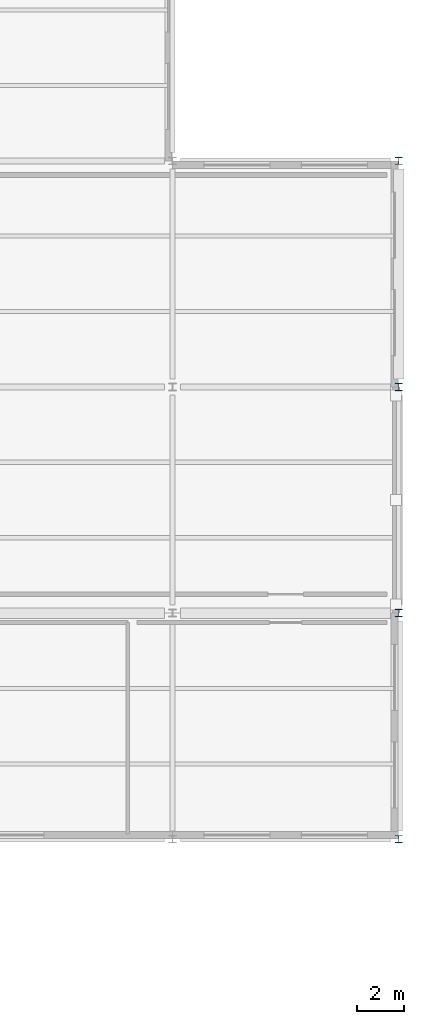
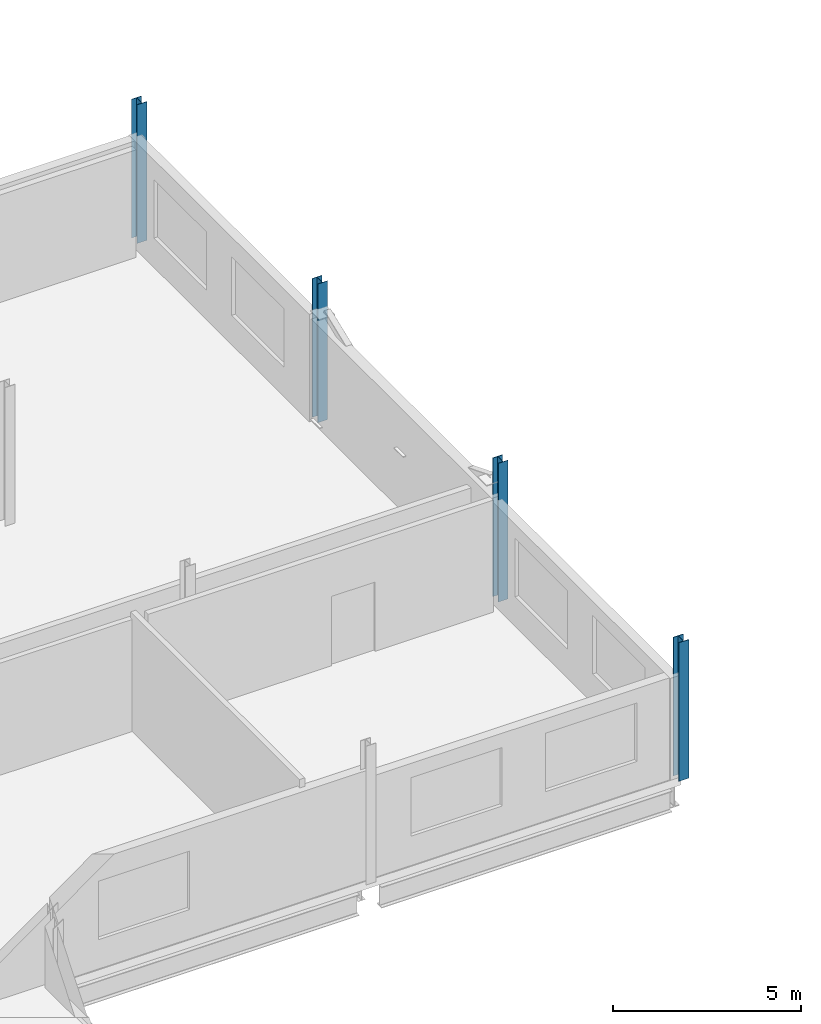
# One storey, part 11 of 69: 4 columns.
"""IFC4 building model written with IfcOpenShell, lengths in metres."""

from ifc_helpers import new_model, si_unit, direction, frame, origin, origin_2d, place, context, subcontext, project, spatial, i_section, extrude, material, material_profile, profile_set, type_object, element, save


model = new_model("IFC4")

# Units and contexts
model_context = context("Model", 3, precision=1e-05, world=origin(), true_north=direction((0.0, 1.0)))
body_context = subcontext(model_context, "Body", "Model", "MODEL_VIEW")
ifc_project = project(units=[si_unit("LENGTHUNIT", "METRE"), si_unit("AREAUNIT", "SQUARE_METRE"), si_unit("VOLUMEUNIT", "CUBIC_METRE"), si_unit("PLANEANGLEUNIT", "RADIAN"), si_unit("MASSUNIT", "GRAM", prefix="KILO")], contexts=[model_context])

# Site, building, storey
site_placement = place(None, origin())
site = spatial("IfcSite", under=ifc_project, at=site_placement, CompositionType="ELEMENT")
building_placement = place(site_placement, origin())
building = spatial("IfcBuilding", under=site, at=building_placement, Name="Caelomonte Colonnade Arena", CompositionType="ELEMENT")
storey_placement = place(building_placement, frame((0.0, 0.0, 18.60009765625)))
storey = spatial("IfcBuildingStorey", under=building, at=storey_placement, Name="L04", CompositionType="ELEMENT", Elevation=18.60009765625)

# Columns
ifc_material = material(Name="Wide-flange steel ASTM A992 Grade 50", Category="steel")
ifc_material_profile = material_profile(ifc_material, i_section(OverallWidth=0.3046875, OverallDepth=0.307861328125, WebThickness=0.010009765625, FlangeThickness=0.015380859375, FilletRadius=0.0126953125, at=origin_2d()), Name="W12X65")
ifc_profile_set = profile_set([ifc_material_profile], Name="Wide-flange steel ASTM A992 Grade 50")
column_type = type_object("IfcColumnType", Name="STR-COL-W12A", PredefinedType="COLUMN", material=ifc_profile_set)
for number, where, z_axis, x_axis, name in (
    (1, (192.0, 105.60009765625, 0.0), (0.0, 0.0, 1.0), (1.0, 0.0, 0.0), "L04 column (192.0, 105.6)"),
    (2, (192.0, 115.199951171875, 0.0), (0.0, 0.0, 1.0), (1.0, 0.0, 0.0), "L04 column (192.0, 115.2)"),
    (3, (192.0, 124.800048828125, 0.0), (0.0, 0.0, 1.0), (1.0, 0.0, 0.0), "L04 column (192.0, 124.8)"),
    (4, (192.0, 134.39990234375, 0.0), (0.0, 0.0, 1.0), (1.0, 0.0, 0.0), "L04 column (192.0, 134.4)"),
):
    element("IfcColumn", number, at=place(storey_placement, frame(where, z_axis=z_axis, x_axis=x_axis)), inside=storey, type_object=column_type, Name=name, PredefinedType="COLUMN", context=body_context, shape_type="SweptSolid", body=[
        extrude(i_section(OverallWidth=0.3046875, OverallDepth=0.307861328125, WebThickness=0.010009765625, FlangeThickness=0.015380859375, FilletRadius=0.0126953125, at=origin_2d()), origin(), (0.0, 0.0, 1.0), 4.5),
    ])

save(model, "model.ifc")
